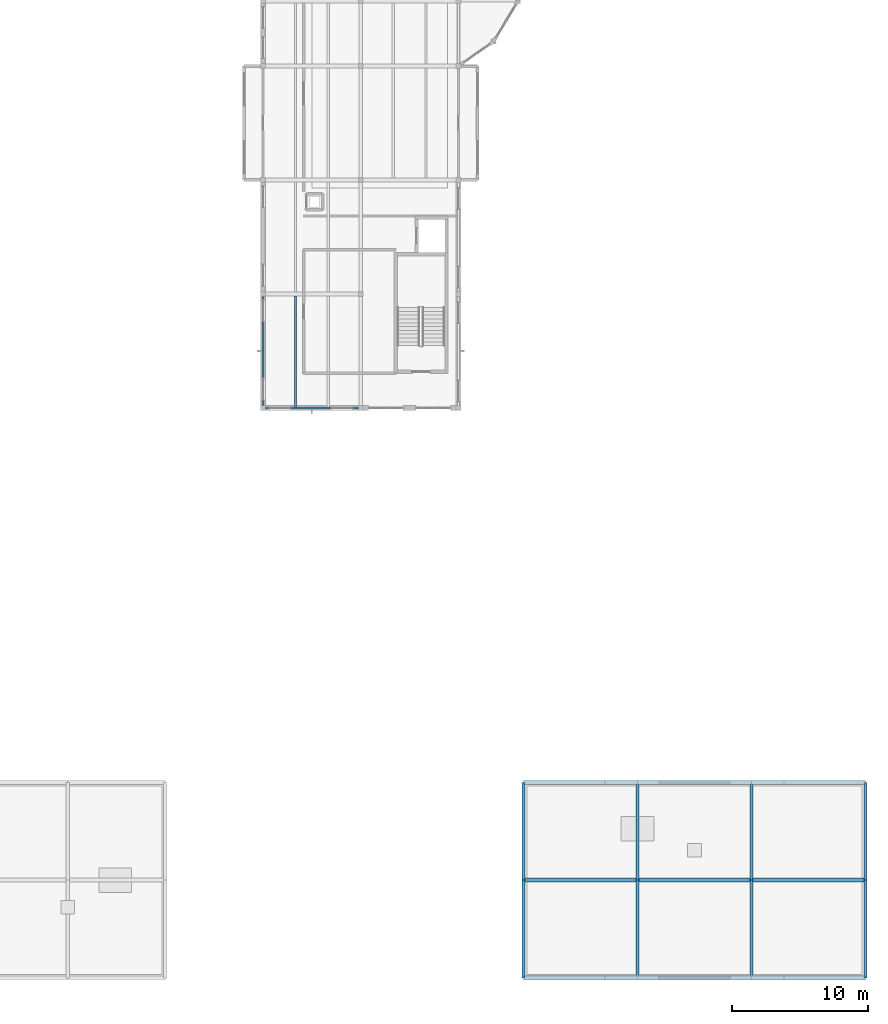
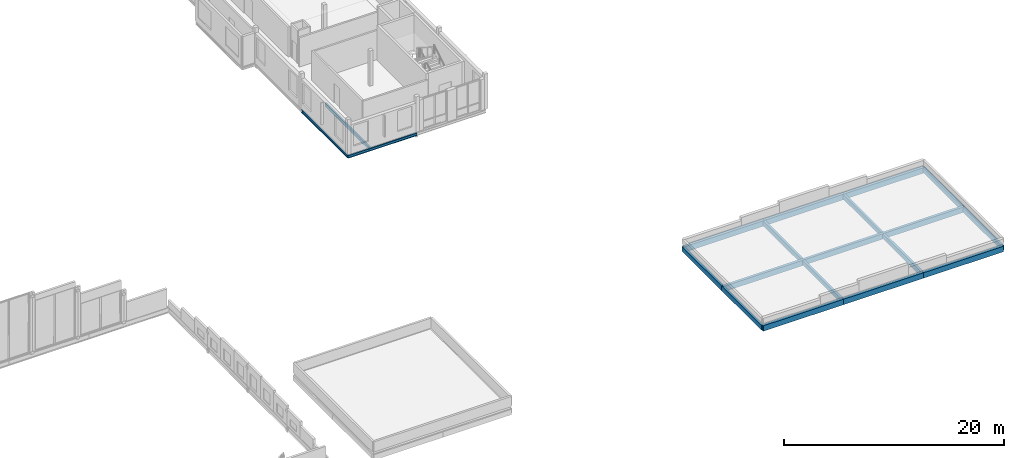
# One storey, part 11 of 34: 20 beams.
"""IFC4 building model written with IfcOpenShell, lengths in metres."""

from ifc_helpers import new_model, si_unit, direction, frame, origin, origin_2d, place, context, subcontext, project, spatial, rectangle, i_section, extrude, material, material_profile, profile_set, type_object, element, save


model = new_model("IFC4")

# Units and contexts
model_context = context("Model", 3, precision=1e-05, world=origin(), true_north=direction((0.0, 1.0)))
body_context = subcontext(model_context, "Body", "Model", "MODEL_VIEW")
ifc_project = project(units=[si_unit("LENGTHUNIT", "METRE"), si_unit("AREAUNIT", "SQUARE_METRE"), si_unit("VOLUMEUNIT", "CUBIC_METRE"), si_unit("PLANEANGLEUNIT", "RADIAN"), si_unit("MASSUNIT", "GRAM", prefix="KILO")], contexts=[model_context])

# Site, building, storey
site_placement = place(None, origin())
site = spatial("IfcSite", under=ifc_project, at=site_placement, CompositionType="ELEMENT")
building_placement = place(site_placement, origin())
building = spatial("IfcBuilding", under=site, at=building_placement, Name="Kahlenmark Community Centre", CompositionType="ELEMENT")
storey_placement = place(building_placement, frame((0.0, 0.0, 17.699951171875)))
storey = spatial("IfcBuildingStorey", under=building, at=storey_placement, Name="L04", CompositionType="ELEMENT", Elevation=17.699951171875)

# Beams
ifc_material_1 = material(Name="Glulam GL32h", Category="wood")
ifc_material_profile_1 = material_profile(ifc_material_1, rectangle(XDim=0.239990234375, YDim=0.52001953125, at=origin_2d()), Name="GL32h 240x520")
ifc_profile_set_1 = profile_set([ifc_material_profile_1], Name="Glulam GL32h")
beam_type_1 = type_object("IfcBeamType", Name="BT-BEAM-GL32h240x520", PredefinedType="BEAM", material=ifc_profile_set_1)
for number, where, z_axis, x_axis, name in (
    (1, (91.60009765625, 8.800048828125, -0.5400390625), (0.0, 1.0, 0.0), (-1.0, 0.0, 0.0), "L04 beam BG-RF520"),
    (2, (91.60009765625, 16.0, -0.5400390625), (0.0, 1.0, 0.0), (-1.0, 0.0, 0.0), "L04 beam BG-RF520"),
    (3, (100.0, 8.800048828125, -0.5400390625), (0.0, 1.0, 0.0), (-1.0, 0.0, 0.0), "L04 beam BG-RF520"),
    (4, (100.0, 16.0, -0.5400390625), (0.0, 1.0, 0.0), (-1.0, 0.0, 0.0), "L04 beam BG-RF520"),
    (5, (108.39990234375, 8.800048828125, -0.5400390625), (0.0, 1.0, 0.0), (-1.0, 0.0, 0.0), "L04 beam BG-RF520"),
    (6, (108.39990234375, 16.0, -0.5400390625), (0.0, 1.0, 0.0), (-1.0, 0.0, 0.0), "L04 beam BG-RF520"),
    (7, (116.800048828125, 8.800048828125, -0.5400390625), (0.0, 1.0, 0.0), (-1.0, 0.0, 0.0), "L04 beam BG-RF520"),
    (8, (116.800048828125, 16.0, -0.5400390625), (0.0, 1.0, 0.0), (-1.0, 0.0, 0.0), "L04 beam BG-RF520"),
):
    element("IfcBeam", number, at=place(storey_placement, frame(where, z_axis=z_axis, x_axis=x_axis)), inside=storey, type_object=beam_type_1, Name=name, PredefinedType="BEAM", context=body_context, shape_type="SweptSolid", body=[
        extrude(rectangle(XDim=0.239990234375, YDim=0.52001953125, at=origin_2d()), origin(), (0.0, 0.0, 1.0), 7.199951171875),
    ])
ifc_material_profile_2 = material_profile(ifc_material_1, rectangle(XDim=0.280029296875, YDim=0.60009765625, at=origin_2d()), Name="GL32h 280x600")
ifc_profile_set_2 = profile_set([ifc_material_profile_2], Name="Glulam GL32h")
beam_type_2 = type_object("IfcBeamType", Name="BT-BEAM-GL32h280x600", PredefinedType="BEAM", material=ifc_profile_set_2)
for number, where, z_axis, x_axis, name in (
    (9, (91.60009765625, 8.800048828125, -0.579833984375), (1.0, 0.0, 0.0), (0.0, 1.0, 0.0), "L04 beam BG-RF600"),
    (10, (100.0, 8.800048828125, -0.579833984375), (1.0, 0.0, 0.0), (0.0, 1.0, 0.0), "L04 beam BG-RF600"),
):
    element("IfcBeam", number, at=place(storey_placement, frame(where, z_axis=z_axis, x_axis=x_axis)), inside=storey, type_object=beam_type_2, Name=name, PredefinedType="BEAM", context=body_context, shape_type="SweptSolid", body=[
        extrude(rectangle(XDim=0.280029296875, YDim=0.60009765625, at=origin_2d()), origin(), (0.0, 0.0, 1.0), 8.39990234375),
    ])
beam_1_placement = place(storey_placement, frame((108.39990234375, 8.800048828125, -0.579833984375), z_axis=(1.0, 0.0, 0.0), x_axis=(0.0, 1.0, 0.0)))
element("IfcBeam", 11, at=beam_1_placement, inside=storey, type_object=beam_type_2, Name="L04 beam BG-RF600", PredefinedType="BEAM", context=body_context, shape_type="SweptSolid", body=[
    extrude(rectangle(XDim=0.280029296875, YDim=0.60009765625, at=origin_2d()), origin(), (0.0, 0.0, 1.0), 8.400146484375),
])
for number, where, z_axis, x_axis, name in (
    (12, (91.60009765625, 16.0, -0.579833984375), (1.0, 0.0, 0.0), (0.0, 1.0, 0.0), "L04 beam BG-RF600"),
    (13, (100.0, 16.0, -0.579833984375), (1.0, 0.0, 0.0), (0.0, 1.0, 0.0), "L04 beam BG-RF600"),
):
    element("IfcBeam", number, at=place(storey_placement, frame(where, z_axis=z_axis, x_axis=x_axis)), inside=storey, type_object=beam_type_2, Name=name, PredefinedType="BEAM", context=body_context, shape_type="SweptSolid", body=[
        extrude(rectangle(XDim=0.280029296875, YDim=0.60009765625, at=origin_2d()), origin(), (0.0, 0.0, 1.0), 8.39990234375),
    ])
beam_2_placement = place(storey_placement, frame((108.39990234375, 16.0, -0.579833984375), z_axis=(1.0, 0.0, 0.0), x_axis=(0.0, 1.0, 0.0)))
element("IfcBeam", 14, at=beam_2_placement, inside=storey, type_object=beam_type_2, Name="L04 beam BG-RF600", PredefinedType="BEAM", context=body_context, shape_type="SweptSolid", body=[
    extrude(rectangle(XDim=0.280029296875, YDim=0.60009765625, at=origin_2d()), origin(), (0.0, 0.0, 1.0), 8.400146484375),
])
for number, where, z_axis, x_axis, name in (
    (15, (91.60009765625, 23.199951171875, -0.579833984375), (1.0, 0.0, 0.0), (0.0, 1.0, 0.0), "L04 beam BG-RF600"),
    (16, (100.0, 23.199951171875, -0.579833984375), (1.0, 0.0, 0.0), (0.0, 1.0, 0.0), "L04 beam BG-RF600"),
):
    element("IfcBeam", number, at=place(storey_placement, frame(where, z_axis=z_axis, x_axis=x_axis)), inside=storey, type_object=beam_type_2, Name=name, PredefinedType="BEAM", context=body_context, shape_type="SweptSolid", body=[
        extrude(rectangle(XDim=0.280029296875, YDim=0.60009765625, at=origin_2d()), origin(), (0.0, 0.0, 1.0), 8.39990234375),
    ])
beam_3_placement = place(storey_placement, frame((108.39990234375, 23.199951171875, -0.579833984375), z_axis=(1.0, 0.0, 0.0), x_axis=(0.0, 1.0, 0.0)))
element("IfcBeam", 17, at=beam_3_placement, inside=storey, type_object=beam_type_2, Name="L04 beam BG-RF600", PredefinedType="BEAM", context=body_context, shape_type="SweptSolid", body=[
    extrude(rectangle(XDim=0.280029296875, YDim=0.60009765625, at=origin_2d()), origin(), (0.0, 0.0, 1.0), 8.400146484375),
])
ifc_material_2 = material(Name="Glulam GL28h", Category="wood")
ifc_material_profile_3 = material_profile(ifc_material_2, rectangle(XDim=0.159912109375, YDim=0.360107421875, at=origin_2d()), Name="GL28h 160x360")
ifc_profile_set_3 = profile_set([ifc_material_profile_3], Name="Glulam GL28h")
beam_type_3 = type_object("IfcBeamType", Name="BT-JOIST-GL28h160x360", PredefinedType="JOIST", material=ifc_profile_set_3)
beam_4_placement = place(storey_placement, frame((74.800048828125, 50.873046875, -0.3798828125), z_axis=(0.0, 1.0, 0.0), x_axis=(-1.0, 0.0, 0.0)))
element("IfcBeam", 18, at=beam_4_placement, inside=storey, type_object=beam_type_3, Name="L04 joist BJ-GL28h160x360", PredefinedType="JOIST", context=body_context, shape_type="SweptSolid", body=[
    extrude(rectangle(XDim=0.159912109375, YDim=0.360107421875, at=origin_2d()), origin(), (0.0, 0.0, 1.0), 8.178955078125),
])
ifc_material_3 = material(Name="Steel S355", Category="steel")
ifc_material_profile_4 = material_profile(ifc_material_3, i_section(OverallWidth=0.14990234375, OverallDepth=0.300048828125, WebThickness=0.007080078125, FlangeThickness=0.0107421875, at=origin_2d()), Name="IPE 300")
ifc_profile_set_4 = profile_set([ifc_material_profile_4], Name="Steel S355")
beam_type_4 = type_object("IfcBeamType", Name="BT-SPANDREL-IPE300", PredefinedType="SPANDREL", material=ifc_profile_set_4)
beam_5_placement = place(storey_placement, frame((72.39990234375, 50.800048828125, -0.349853515625), z_axis=(1.0, 0.0, 0.0), x_axis=(0.0, 1.0, 0.0)))
element("IfcBeam", 19, at=beam_5_placement, inside=storey, type_object=beam_type_4, Name="L04 spandrel SP-IPE300", PredefinedType="SPANDREL", context=body_context, shape_type="SweptSolid", body=[
    extrude(i_section(OverallWidth=0.14990234375, OverallDepth=0.300048828125, WebThickness=0.007080078125, FlangeThickness=0.0107421875, at=origin_2d()), origin(), (0.0, 0.0, 1.0), 7.2001953125),
])
beam_6_placement = place(storey_placement, frame((72.39990234375, 50.800048828125, -0.349853515625), z_axis=(0.0, 1.0, 0.0), x_axis=(-1.0, 0.0, 0.0)))
element("IfcBeam", 20, at=beam_6_placement, inside=storey, type_object=beam_type_4, Name="L04 spandrel SP-IPE300", PredefinedType="SPANDREL", context=body_context, shape_type="SweptSolid", body=[
    extrude(i_section(OverallWidth=0.14990234375, OverallDepth=0.300048828125, WebThickness=0.007080078125, FlangeThickness=0.0107421875, at=origin_2d()), origin(), (0.0, 0.0, 1.0), 8.39990234375),
])

save(model, "model.ifc")
